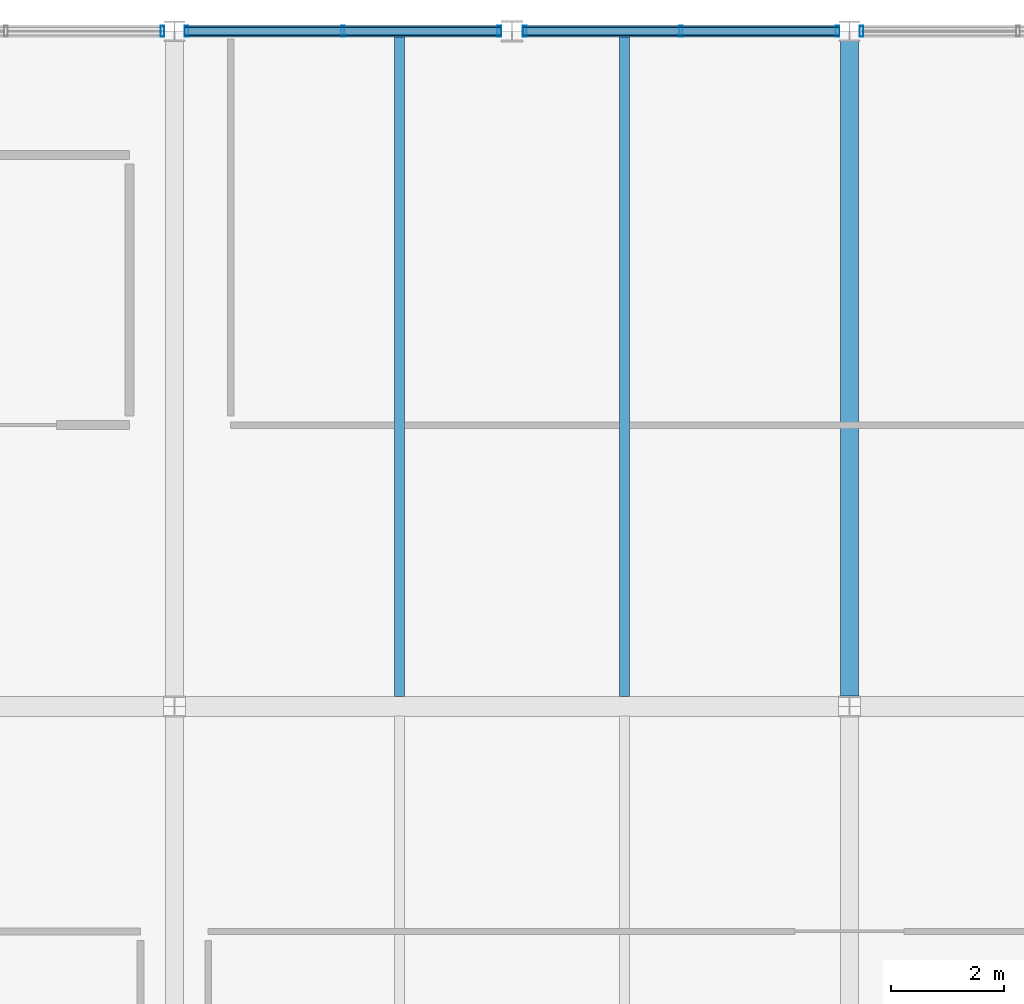
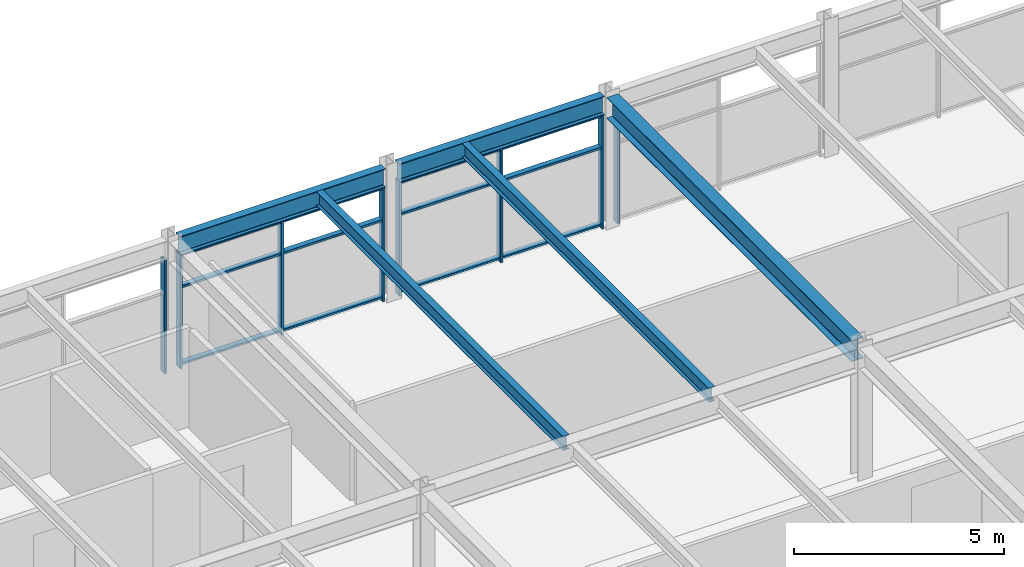
# One storey, part 14 of 30: 14 members, 5 beams, 4 elements without a shape of their own.
"""IFC4 building model written with IfcOpenShell, lengths in metres."""

import ifcopenshell
import ifcopenshell.guid

model = None  # the IFC model being written
_history = None  # IfcOwnerHistory: only IFC2X3 demands one
_inside = {}  # id of a spatial element -> (the spatial element, [elements in it])
_under = {}  # id of a project, library or spatial element -> (it, [spatial elements below it])
_declared = {}  # id of a project -> (the project, [libraries it declares])
_typed = {}  # id of a type object -> (the type object, [elements of that type])
_made_of = {}  # id of a material, layer set ... -> (it, [elements and type objects made of it])


def new_model(schema):
    """Start an empty IFC model of exactly this schema.

    Asked for "IFC4X3", IfcOpenShell would pick the latest addendum, in which some entities
    have other attributes; the version numbers below select the first issue.
    IFC2X3 requires an IfcOwnerHistory on every rooted entity: one is made here for all.
    """
    global model, _history
    if schema == "IFC4X3":
        model = ifcopenshell.file(schema_version=(4, 3, 0, 0))
    else:
        model = ifcopenshell.file(schema=schema)
    _inside.clear()
    _under.clear()
    _declared.clear()
    _typed.clear()
    _made_of.clear()
    _history = None
    if model.schema == "IFC2X3":
        org = make("IfcOrganization", Name="unknown")
        user = make(
            "IfcPersonAndOrganization",
            ThePerson=make("IfcPerson", FamilyName="unknown"),
            TheOrganization=org,
        )
        app = make(
            "IfcApplication",
            ApplicationDeveloper=org,
            Version="unknown",
            ApplicationFullName="unknown",
            ApplicationIdentifier="unknown",
        )
        _history = make(
            "IfcOwnerHistory",
            OwningUser=user,
            OwningApplication=app,
            ChangeAction="ADDED",
            CreationDate=0,
        )
    return model


def make(cls, **values):
    """One entity of the class cls with the attributes given. An attribute that is None is left unset."""
    return model.create_entity(
        cls, **{name: value for name, value in values.items() if value is not None}
    )


def rooted(cls, **values):
    """An entity with a GlobalId (a new one), such as an element, a storey or a relation."""
    return make(cls, GlobalId=ifcopenshell.guid.new(), OwnerHistory=_history, **values)


def si_unit(unit_type, name, prefix=None):
    """IfcSIUnit, for example si_unit("LENGTHUNIT", "METRE", prefix="MILLI")."""
    return make("IfcSIUnit", UnitType=unit_type, Prefix=prefix, Name=name)


def assignment(units):
    """IfcUnitAssignment: the units of a project."""
    return None if units is None else make("IfcUnitAssignment", Units=units)


def point(xyz):
    """IfcCartesianPoint."""
    return None if xyz is None else make("IfcCartesianPoint", Coordinates=xyz)


def direction(xyz):
    """IfcDirection."""
    return None if xyz is None else make("IfcDirection", DirectionRatios=xyz)


def frame(location, z_axis=None, x_axis=None):
    """IfcAxis2Placement3D, a coordinate frame: its origin and axes. An axis left out is left unset."""
    return make(
        "IfcAxis2Placement3D",
        Location=point(location),
        Axis=direction(z_axis),
        RefDirection=direction(x_axis),
    )


def frame_2d(location, x_axis=None):
    """IfcAxis2Placement2D, a coordinate frame in the plane: its origin and x axis."""
    return make(
        "IfcAxis2Placement2D", Location=point(location), RefDirection=direction(x_axis)
    )


def origin():
    """The frame at (0, 0, 0) with its axes left unset."""
    return frame((0.0, 0.0, 0.0))


def origin_2d():
    """The frame at (0, 0) in the plane with its x axis left unset."""
    return frame_2d((0.0, 0.0))


def place(relative_to, where):
    """IfcLocalPlacement: puts the frame where relative to a parent placement (None: the world)."""
    return make(
        "IfcLocalPlacement", PlacementRelTo=relative_to, RelativePlacement=where
    )


def context(
    kind, dimensions, precision=None, world=None, true_north=None, identifier=None
):
    """IfcGeometricRepresentationContext, for example the 3D "Model" context."""
    return make(
        "IfcGeometricRepresentationContext",
        ContextIdentifier=identifier,
        ContextType=kind,
        CoordinateSpaceDimension=dimensions,
        Precision=precision,
        WorldCoordinateSystem=world,
        TrueNorth=true_north,
    )


def subcontext(parent, identifier, kind, view, scale=None):
    """IfcGeometricRepresentationSubContext, for example "Body" below "Model"."""
    return make(
        "IfcGeometricRepresentationSubContext",
        ContextIdentifier=identifier,
        ContextType=kind,
        ParentContext=parent,
        TargetScale=scale,
        TargetView=view,
    )


def project(units=None, contexts=None):
    """IfcProject with its units and contexts."""
    return rooted(
        "IfcProject",
        Name="project",
        RepresentationContexts=contexts,
        UnitsInContext=assignment(units),
    )


def spatial(cls, under=None, at=None, **own):
    """A site, building, storey or space (cls), placed at a placement, below another one or the project."""
    s = rooted(cls, ObjectPlacement=at, **own)
    if under is not None:
        _under.setdefault(under.id(), (under, []))[1].append(s)
    return s


def profile(cls, at=None, kind="AREA", **sizes):
    """A parametric profile (cls). Its sizes go by their IFC names, for example OverallWidth=200.0."""
    return make(cls, ProfileType=kind, Position=at, **sizes)


def hollow_rectangle(**sizes):
    """IfcRectangleHollowProfileDef."""
    return profile("IfcRectangleHollowProfileDef", **sizes)


def i_section(**sizes):
    """IfcIShapeProfileDef."""
    return profile("IfcIShapeProfileDef", **sizes)


def extrude(swept, where, along, depth):
    """IfcExtrudedAreaSolid: the profile swept, set in the frame where, extruded along a direction by depth."""
    return make(
        "IfcExtrudedAreaSolid",
        SweptArea=swept,
        Position=where,
        ExtrudedDirection=direction(along),
        Depth=depth,
    )


def shape(context_of_items, identifier, shape_type, items):
    """IfcShapeRepresentation: the items that make up one representation, for example the "Body"."""
    return make(
        "IfcShapeRepresentation",
        ContextOfItems=context_of_items,
        RepresentationIdentifier=identifier,
        RepresentationType=shape_type,
        Items=items,
    )


def material(Name=None, Category=None):
    """IfcMaterial."""
    return make("IfcMaterial", Name=Name, Category=Category)


def material_profile(
    of_material, cross_section, Name=None, Category=None, Priority=None
):
    """IfcMaterialProfile: a cross section and its material."""
    return make(
        "IfcMaterialProfile",
        Name=Name,
        Material=of_material,
        Profile=cross_section,
        Priority=Priority,
        Category=Category,
    )


def profile_set(profiles, Name=None, composite=None):
    """IfcMaterialProfileSet."""
    return make(
        "IfcMaterialProfileSet",
        Name=Name,
        MaterialProfiles=profiles,
        CompositeProfile=composite,
    )


def made_of(thing, what):
    """Note that an element or type object is made of a material, layer set ...; save() writes the relation."""
    if what is not None:
        _made_of.setdefault(what.id(), (what, []))[1].append(thing)
    return thing


def type_object(cls, material=None, **own):
    """A type object (cls), such as IfcWallType, which elements share."""
    return made_of(rooted(cls, **own), material)


def element(
    cls,
    number,
    at=None,
    inside=None,
    cuts=None,
    type_object=None,
    material=None,
    context=None,
    identifier="Body",
    shape_type=None,
    held_by="IfcProductDefinitionShape",
    body=None,
    shapes=None,
    **own,
):
    """One element of the class cls, such as IfcWall. Its Tag is "e" and its number.

    at: its placement. inside: the storey or other place that contains it. cuts: it is an
    opening in that element (IfcRelVoidsElement). A single representation is given by context,
    identifier, shape_type and body (its items); several are given by shapes. held_by: the class
    of the entity that holds the representations. save() writes the other relations.
    """
    e = rooted(cls, Tag="e%d" % number, ObjectPlacement=at, **own)
    if body is not None:
        shapes = [shape(context, identifier, shape_type, body)]
    if shapes is not None:
        e.Representation = make(held_by, Representations=shapes)
    if inside is not None:
        _inside.setdefault(inside.id(), (inside, []))[1].append(e)
    if cuts is not None:
        rooted(
            "IfcRelVoidsElement", RelatingBuildingElement=cuts, RelatedOpeningElement=e
        )
    if type_object is not None:
        _typed.setdefault(type_object.id(), (type_object, []))[1].append(e)
    return made_of(e, material)


def aggregate(whole, parts):
    """IfcRelAggregates: a whole, such as a stair, and the parts it consists of."""
    return rooted("IfcRelAggregates", RelatingObject=whole, RelatedObjects=parts)


def save(model, path):
    """Write the relations noted so far, then the file.

    IfcRelAggregates (storeys below a building ...), IfcRelContainedInSpatialStructure (elements
    in a storey), IfcRelDefinesByType, IfcRelAssociatesMaterial and IfcRelDeclares: one each for
    every whole, place, type object, material and project.
    """
    for whole, parts in _under.values():
        aggregate(whole, parts)
    for where, things in _inside.values():
        rooted(
            "IfcRelContainedInSpatialStructure",
            RelatedElements=things,
            RelatingStructure=where,
        )
    for kind, things in _typed.values():
        rooted("IfcRelDefinesByType", RelatedObjects=things, RelatingType=kind)
    for what, things in _made_of.values():
        rooted("IfcRelAssociatesMaterial", RelatedObjects=things, RelatingMaterial=what)
    for by, libraries in _declared.values():
        rooted("IfcRelDeclares", RelatingContext=by, RelatedDefinitions=libraries)
    model.write(path)


model = new_model("IFC4")

# Units and contexts
model_context = context("Model", 3, precision=1e-05, world=origin(), true_north=direction((0.0, 1.0)))
body_context = subcontext(model_context, "Body", "Model", "MODEL_VIEW")
ifc_project = project(units=[si_unit("LENGTHUNIT", "METRE"), si_unit("AREAUNIT", "SQUARE_METRE"), si_unit("VOLUMEUNIT", "CUBIC_METRE"), si_unit("PLANEANGLEUNIT", "RADIAN"), si_unit("MASSUNIT", "GRAM", prefix="KILO")], contexts=[model_context])

# Site, building, storey
site_placement = place(None, origin())
site = spatial("IfcSite", under=ifc_project, at=site_placement, CompositionType="ELEMENT")
building_placement = place(site_placement, origin())
building = spatial("IfcBuilding", under=site, at=building_placement, Name="Girod Span Mobility Hub", CompositionType="ELEMENT")
storey_placement = place(building_placement, frame((0.0, 0.0, 49.60009765625)))
storey = spatial("IfcBuildingStorey", under=building, at=storey_placement, Name="L12", CompositionType="ELEMENT", Elevation=49.60009765625)

# Beams
ifc_material_1 = material(Name="Steel A992 Grade 50", Category="steel")
ifc_material_profile_1 = material_profile(ifc_material_1, i_section(OverallWidth=0.178955078125, OverallDepth=0.409912109375, WebThickness=0.0087890625, FlangeThickness=0.014404296875, FilletRadius=0.012939453125, at=origin_2d()), Name="W16X45")
ifc_profile_set_1 = profile_set([ifc_material_profile_1], Name="Steel A992 Grade 50")
beam_type_1 = type_object("IfcBeamType", Name="BM-STL-W16X45", PredefinedType="BEAM", material=ifc_profile_set_1)
for number, where, z_axis, x_axis, name in (
    (1, (76.0, 57.174560546875, 3.639892578125), (0.0, 1.0, 0.0), (-1.0, 0.0, 0.0), "Composite Floorbeam 7/E-1 L12"),
    (2, (80.0, 57.174560546875, 3.639892578125), (0.0, 1.0, 0.0), (-1.0, 0.0, 0.0), "Composite Floorbeam 7/E-2 L12"),
):
    element("IfcBeam", number, at=place(storey_placement, frame(where, z_axis=z_axis, x_axis=x_axis)), inside=storey, type_object=beam_type_1, Name=name, PredefinedType="BEAM", context=body_context, shape_type="SweptSolid", body=[
        extrude(i_section(OverallWidth=0.178955078125, OverallDepth=0.409912109375, WebThickness=0.0087890625, FlangeThickness=0.014404296875, FilletRadius=0.012939453125, at=origin_2d()), origin(), (0.0, 0.0, 1.0), 11.722412109375),
    ])
ifc_material_2 = material(Name="Steel A992 Grade 50", Category="steel")
ifc_material_profile_2 = material_profile(ifc_material_2, i_section(OverallWidth=0.2119140625, OverallDepth=0.5439453125, WebThickness=0.01318359375, FlangeThickness=0.021240234375, FilletRadius=0.014892578125, at=origin_2d()), Name="W21X83")
ifc_profile_set_2 = profile_set([ifc_material_profile_2], Name="Steel A992 Grade 50")
beam_type_2 = type_object("IfcBeamType", Name="BM-STL-W21X83", PredefinedType="SPANDREL", material=ifc_profile_set_2)
for number, where, z_axis, x_axis, name in (
    (3, (72.181396484375, 69.0, 3.572998046875), (1.0, 0.0, 0.0), (0.0, 1.0, 0.0), "Spandrel Beam 7-8/F-W L12"),
    (4, (78.194091796875, 69.0, 3.572998046875), (1.0, 0.0, 0.0), (0.0, 1.0, 0.0), "Spandrel Beam 7-8/F-E L12"),
):
    element("IfcBeam", number, at=place(storey_placement, frame(where, z_axis=z_axis, x_axis=x_axis)), inside=storey, type_object=beam_type_2, Name=name, PredefinedType="SPANDREL", context=body_context, shape_type="SweptSolid", body=[
        extrude(i_section(OverallWidth=0.2119140625, OverallDepth=0.5439453125, WebThickness=0.01318359375, FlangeThickness=0.021240234375, FilletRadius=0.014892578125, at=origin_2d()), origin(), (0.0, 0.0, 1.0), 5.62451171875),
    ])
ifc_material_3 = material(Name="Steel A992 Grade 50", Category="steel")
ifc_material_profile_3 = material_profile(ifc_material_3, i_section(OverallWidth=0.323974609375, OverallDepth=0.611083984375, WebThickness=0.0126953125, FlangeThickness=0.01904296875, FilletRadius=0.014892578125, at=origin_2d()), Name="W24X104")
ifc_profile_set_3 = profile_set([ifc_material_profile_3], Name="Steel A992 Grade 50")
beam_type_3 = type_object("IfcBeamType", Name="BM-STL-W24X104", PredefinedType="BEAM", material=ifc_profile_set_3)
beam_placement = place(storey_placement, frame((84.0, 57.1845703125, 3.539306640625), z_axis=(0.0, 1.0, 0.0), x_axis=(-1.0, 0.0, 0.0)))
element("IfcBeam", 5, at=beam_placement, inside=storey, type_object=beam_type_3, Name="Tie Girder 8/E-F L12", PredefinedType="BEAM", context=body_context, shape_type="SweptSolid", body=[
    extrude(i_section(OverallWidth=0.323974609375, OverallDepth=0.611083984375, WebThickness=0.0126953125, FlangeThickness=0.01904296875, FilletRadius=0.014892578125, at=origin_2d()), origin(), (0.0, 0.0, 1.0), 11.640380859375),
])

# Curtain wall, member
ifc_material_4 = material(Name="Thermally Broken Anodised Aluminium", Category="aluminium")
curtain_wall_type = type_object("IfcCurtainWallType", Name="CW-562X330", PredefinedType="USERDEFINED", material=ifc_material_4)
curtain_wall_1_placement = place(storey_placement, origin())
curtain_wall_1 = element("IfcCurtainWall", 6, at=curtain_wall_1_placement, inside=storey, type_object=curtain_wall_type, Name="Unitised Curtain Wall CW-L12-N06E L12", ObjectType="UNITISED CURTAIN WALL", PredefinedType="USERDEFINED")
ifc_material_5 = material(Name="Thermally Broken Anodised Aluminium", Category="aluminium")
ifc_material_profile_4 = material_profile(ifc_material_5, hollow_rectangle(XDim=0.199951171875, YDim=0.06494140625, WallThickness=0.00390625, InnerFilletRadius=0.00390625, OuterFilletRadius=0.008056640625, at=origin_2d()), Name="CW-ML-65X200")
ifc_profile_set_4 = profile_set([ifc_material_profile_4], Name="Thermally Broken Anodised Aluminium")
member_type_1 = type_object("IfcMemberType", Name="CWM-ML-1", PredefinedType="MULLION", material=ifc_profile_set_4)
member_1_placement = place(storey_placement, frame((71.785400390625, 69.0, 0.0), z_axis=(0.0, 0.0, 1.0), x_axis=(0.0, 1.0, 0.0)))
member_1 = element("IfcMember", 7, at=member_1_placement, type_object=member_type_1, Name="Curtain Wall Mullion CW-L12-N06E-M2", PredefinedType="MULLION", context=body_context, shape_type="SweptSolid", body=[
    extrude(hollow_rectangle(XDim=0.199951171875, YDim=0.06494140625, WallThickness=0.00390625, InnerFilletRadius=0.00390625, OuterFilletRadius=0.008056640625, at=origin_2d()), origin(), (0.0, 0.0, 1.0), 3.30078125),
])
aggregate(curtain_wall_1, [member_1])

# Curtain wall, members
curtain_wall_2_placement = place(storey_placement, origin())
curtain_wall_2 = element("IfcCurtainWall", 8, at=curtain_wall_2_placement, inside=storey, type_object=curtain_wall_type, Name="Unitised Curtain Wall CW-L12-N07W L12", ObjectType="UNITISED CURTAIN WALL", PredefinedType="USERDEFINED")
member_2_placement = place(storey_placement, frame((72.214599609375, 69.0, 0.0), z_axis=(0.0, 0.0, 1.0), x_axis=(0.0, 1.0, 0.0)))
member_2 = element("IfcMember", 9, at=member_2_placement, type_object=member_type_1, Name="Curtain Wall Mullion CW-L12-N07W-M0", PredefinedType="MULLION", context=body_context, shape_type="SweptSolid", body=[
    extrude(hollow_rectangle(XDim=0.199951171875, YDim=0.06494140625, WallThickness=0.00390625, InnerFilletRadius=0.00390625, OuterFilletRadius=0.008056640625, at=origin_2d()), origin(), (0.0, 0.0, 1.0), 3.30078125),
])
member_3_placement = place(storey_placement, frame((74.993896484375, 69.0, 0.0), z_axis=(0.0, 0.0, 1.0), x_axis=(0.0, 1.0, 0.0)))
member_3 = element("IfcMember", 10, at=member_3_placement, type_object=member_type_1, Name="Curtain Wall Mullion CW-L12-N07W-M1", PredefinedType="MULLION", context=body_context, shape_type="SweptSolid", body=[
    extrude(hollow_rectangle(XDim=0.199951171875, YDim=0.06494140625, WallThickness=0.00390625, InnerFilletRadius=0.00390625, OuterFilletRadius=0.008056640625, at=origin_2d()), origin(), (0.0, 0.0, 1.0), 3.30078125),
])
member_4_placement = place(storey_placement, frame((77.77294921875, 69.0, 0.0), z_axis=(0.0, 0.0, 1.0), x_axis=(0.0, 1.0, 0.0)))
member_4 = element("IfcMember", 11, at=member_4_placement, type_object=member_type_1, Name="Curtain Wall Mullion CW-L12-N07W-M2", PredefinedType="MULLION", context=body_context, shape_type="SweptSolid", body=[
    extrude(hollow_rectangle(XDim=0.199951171875, YDim=0.06494140625, WallThickness=0.00390625, InnerFilletRadius=0.00390625, OuterFilletRadius=0.008056640625, at=origin_2d()), origin(), (0.0, 0.0, 1.0), 3.30078125),
])

curtain_wall_3_placement = place(storey_placement, origin())
curtain_wall_3 = element("IfcCurtainWall", 12, at=curtain_wall_3_placement, inside=storey, type_object=curtain_wall_type, Name="Unitised Curtain Wall CW-L12-N07E L12", ObjectType="UNITISED CURTAIN WALL", PredefinedType="USERDEFINED")
member_5_placement = place(storey_placement, frame((78.22705078125, 69.0, 0.0), z_axis=(0.0, 0.0, 1.0), x_axis=(0.0, 1.0, 0.0)))
member_5 = element("IfcMember", 13, at=member_5_placement, type_object=member_type_1, Name="Curtain Wall Mullion CW-L12-N07E-M0", PredefinedType="MULLION", context=body_context, shape_type="SweptSolid", body=[
    extrude(hollow_rectangle(XDim=0.199951171875, YDim=0.06494140625, WallThickness=0.00390625, InnerFilletRadius=0.00390625, OuterFilletRadius=0.008056640625, at=origin_2d()), origin(), (0.0, 0.0, 1.0), 3.30078125),
])
member_6_placement = place(storey_placement, frame((81.006103515625, 69.0, 0.0), z_axis=(0.0, 0.0, 1.0), x_axis=(0.0, 1.0, 0.0)))
member_6 = element("IfcMember", 14, at=member_6_placement, type_object=member_type_1, Name="Curtain Wall Mullion CW-L12-N07E-M1", PredefinedType="MULLION", context=body_context, shape_type="SweptSolid", body=[
    extrude(hollow_rectangle(XDim=0.199951171875, YDim=0.06494140625, WallThickness=0.00390625, InnerFilletRadius=0.00390625, OuterFilletRadius=0.008056640625, at=origin_2d()), origin(), (0.0, 0.0, 1.0), 3.30078125),
])
member_7_placement = place(storey_placement, frame((83.785400390625, 69.0, 0.0), z_axis=(0.0, 0.0, 1.0), x_axis=(0.0, 1.0, 0.0)))
member_7 = element("IfcMember", 15, at=member_7_placement, type_object=member_type_1, Name="Curtain Wall Mullion CW-L12-N07E-M2", PredefinedType="MULLION", context=body_context, shape_type="SweptSolid", body=[
    extrude(hollow_rectangle(XDim=0.199951171875, YDim=0.06494140625, WallThickness=0.00390625, InnerFilletRadius=0.00390625, OuterFilletRadius=0.008056640625, at=origin_2d()), origin(), (0.0, 0.0, 1.0), 3.30078125),
])

# Curtain wall, member
curtain_wall_4_placement = place(storey_placement, origin())
curtain_wall_4 = element("IfcCurtainWall", 16, at=curtain_wall_4_placement, inside=storey, type_object=curtain_wall_type, Name="Unitised Curtain Wall CW-L12-N08W L12", ObjectType="UNITISED CURTAIN WALL", PredefinedType="USERDEFINED")
member_8_placement = place(storey_placement, frame((84.214599609375, 69.0, 0.0), z_axis=(0.0, 0.0, 1.0), x_axis=(0.0, 1.0, 0.0)))
member_8 = element("IfcMember", 17, at=member_8_placement, type_object=member_type_1, Name="Curtain Wall Mullion CW-L12-N08W-M0", PredefinedType="MULLION", context=body_context, shape_type="SweptSolid", body=[
    extrude(hollow_rectangle(XDim=0.199951171875, YDim=0.06494140625, WallThickness=0.00390625, InnerFilletRadius=0.00390625, OuterFilletRadius=0.008056640625, at=origin_2d()), origin(), (0.0, 0.0, 1.0), 3.30078125),
])
aggregate(curtain_wall_4, [member_8])

# Member
ifc_material_6 = material(Name="Thermally Broken Anodised Aluminium", Category="aluminium")
ifc_material_profile_5 = material_profile(ifc_material_6, hollow_rectangle(XDim=0.14990234375, YDim=0.06494140625, WallThickness=0.00390625, InnerFilletRadius=0.00390625, OuterFilletRadius=0.008056640625, at=origin_2d()), Name="CW-TR-65X150")
ifc_profile_set_5 = profile_set([ifc_material_profile_5], Name="Thermally Broken Anodised Aluminium")
member_type_2 = type_object("IfcMemberType", Name="CWM-TR-1", PredefinedType="USERDEFINED", material=ifc_profile_set_5)
member_9_placement = place(storey_placement, frame((72.1826171875, 69.0, 0.107421875), z_axis=(1.0, 0.0, 0.0), x_axis=(0.0, 1.0, 0.0)))
member_9 = element("IfcMember", 18, at=member_9_placement, type_object=member_type_2, Name="Curtain Wall Transom CW-L12-N07W-T1", ObjectType="TRANSOM", PredefinedType="USERDEFINED", context=body_context, shape_type="SweptSolid", body=[
    extrude(hollow_rectangle(XDim=0.14990234375, YDim=0.06494140625, WallThickness=0.00390625, InnerFilletRadius=0.00390625, OuterFilletRadius=0.008056640625, at=origin_2d()), origin(), (0.0, 0.0, 1.0), 5.622314453125),
])

member_10_placement = place(storey_placement, frame((72.1826171875, 69.0, 2.343994140625), z_axis=(1.0, 0.0, 0.0), x_axis=(0.0, 1.0, 0.0)))
member_10 = element("IfcMember", 19, at=member_10_placement, type_object=member_type_2, Name="Curtain Wall Transom CW-L12-N07W-T2", ObjectType="TRANSOM", PredefinedType="USERDEFINED", context=body_context, shape_type="SweptSolid", body=[
    extrude(hollow_rectangle(XDim=0.14990234375, YDim=0.06494140625, WallThickness=0.00390625, InnerFilletRadius=0.00390625, OuterFilletRadius=0.008056640625, at=origin_2d()), origin(), (0.0, 0.0, 1.0), 5.622314453125),
])

member_11_placement = place(storey_placement, frame((72.1826171875, 69.0, 3.268310546875), z_axis=(1.0, 0.0, 0.0), x_axis=(0.0, 1.0, 0.0)))
member_11 = element("IfcMember", 20, at=member_11_placement, type_object=member_type_2, Name="Curtain Wall Transom CW-L12-N07W-T3", ObjectType="TRANSOM", PredefinedType="USERDEFINED", context=body_context, shape_type="SweptSolid", body=[
    extrude(hollow_rectangle(XDim=0.14990234375, YDim=0.06494140625, WallThickness=0.00390625, InnerFilletRadius=0.00390625, OuterFilletRadius=0.008056640625, at=origin_2d()), origin(), (0.0, 0.0, 1.0), 5.622314453125),
])

aggregate(curtain_wall_2, [member_2, member_3, member_4, member_9, member_10, member_11])

member_12_placement = place(storey_placement, frame((78.195068359375, 69.0, 0.107421875), z_axis=(1.0, 0.0, 0.0), x_axis=(0.0, 1.0, 0.0)))
member_12 = element("IfcMember", 21, at=member_12_placement, type_object=member_type_2, Name="Curtain Wall Transom CW-L12-N07E-T1", ObjectType="TRANSOM", PredefinedType="USERDEFINED", context=body_context, shape_type="SweptSolid", body=[
    extrude(hollow_rectangle(XDim=0.14990234375, YDim=0.06494140625, WallThickness=0.00390625, InnerFilletRadius=0.00390625, OuterFilletRadius=0.008056640625, at=origin_2d()), origin(), (0.0, 0.0, 1.0), 5.622314453125),
])

member_13_placement = place(storey_placement, frame((78.195068359375, 69.0, 2.343994140625), z_axis=(1.0, 0.0, 0.0), x_axis=(0.0, 1.0, 0.0)))
member_13 = element("IfcMember", 22, at=member_13_placement, type_object=member_type_2, Name="Curtain Wall Transom CW-L12-N07E-T2", ObjectType="TRANSOM", PredefinedType="USERDEFINED", context=body_context, shape_type="SweptSolid", body=[
    extrude(hollow_rectangle(XDim=0.14990234375, YDim=0.06494140625, WallThickness=0.00390625, InnerFilletRadius=0.00390625, OuterFilletRadius=0.008056640625, at=origin_2d()), origin(), (0.0, 0.0, 1.0), 5.622314453125),
])

member_14_placement = place(storey_placement, frame((78.195068359375, 69.0, 3.268310546875), z_axis=(1.0, 0.0, 0.0), x_axis=(0.0, 1.0, 0.0)))
member_14 = element("IfcMember", 23, at=member_14_placement, type_object=member_type_2, Name="Curtain Wall Transom CW-L12-N07E-T3", ObjectType="TRANSOM", PredefinedType="USERDEFINED", context=body_context, shape_type="SweptSolid", body=[
    extrude(hollow_rectangle(XDim=0.14990234375, YDim=0.06494140625, WallThickness=0.00390625, InnerFilletRadius=0.00390625, OuterFilletRadius=0.008056640625, at=origin_2d()), origin(), (0.0, 0.0, 1.0), 5.622314453125),
])

aggregate(curtain_wall_3, [member_5, member_6, member_7, member_12, member_13, member_14])

save(model, "model.ifc")
